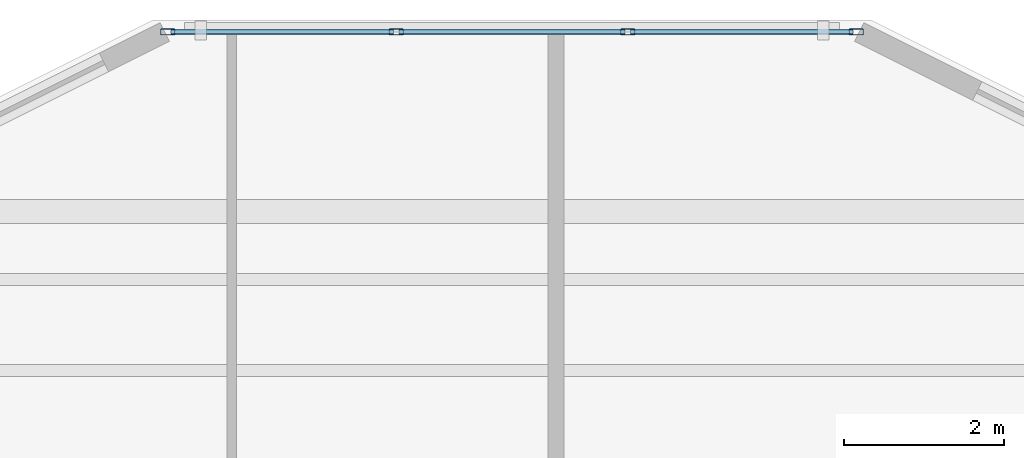
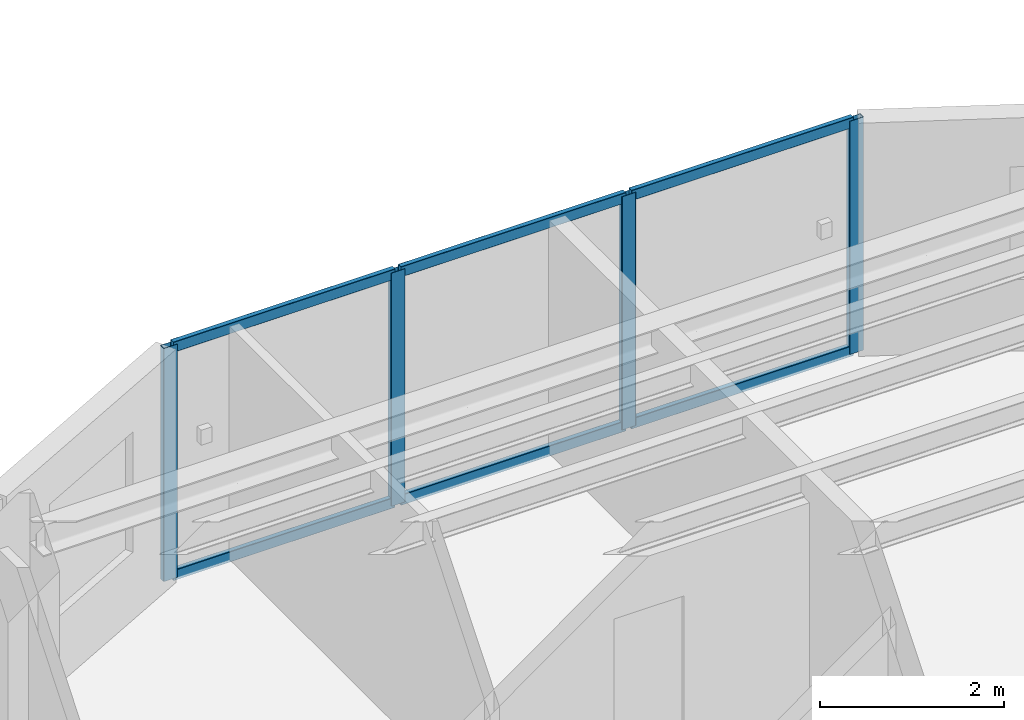
# One storey, part 4 of 13: 10 members, 1 element without a shape of its own.
"""IFC4 building model written with IfcOpenShell, lengths in metres."""

from ifc_helpers import new_model, si_unit, direction, frame, origin, origin_2d, place, context, subcontext, project, spatial, hollow_rectangle, extrude, material, layer, layer_set, material_profile, profile_set, type_object, element, aggregate, save


model = new_model("IFC4")

# Units and contexts
model_context = context("Model", 3, precision=1e-05, world=origin(), true_north=direction((0.0, 1.0)))
body_context = subcontext(model_context, "Body", "Model", "MODEL_VIEW")
ifc_project = project(units=[si_unit("LENGTHUNIT", "METRE"), si_unit("AREAUNIT", "SQUARE_METRE"), si_unit("VOLUMEUNIT", "CUBIC_METRE"), si_unit("PLANEANGLEUNIT", "RADIAN"), si_unit("MASSUNIT", "GRAM", prefix="KILO")], contexts=[model_context])

# Site, building, storey
site_placement = place(None, origin())
site = spatial("IfcSite", under=ifc_project, at=site_placement, CompositionType="ELEMENT")
building_placement = place(site_placement, origin())
building = spatial("IfcBuilding", under=site, at=building_placement, Name="Tarnavaz Court Tower", CompositionType="ELEMENT")
storey_placement = place(building_placement, frame((0.0, 0.0, 251.550048828125)))
storey = spatial("IfcBuildingStorey", under=building, at=storey_placement, Name="L68", CompositionType="ELEMENT", Elevation=251.550048828125)

# Curtain wall, members
ifc_material_1 = material(Name="Anodised Aluminium 6063-T6 and Solar Low-E Glazing", Category="aluminium")
ifc_layer = layer(ifc_material_1, 0.159912109375)
ifc_layer_set = layer_set([ifc_layer], Name="Anodised Aluminium 6063-T6 and Solar Low-E Glazing")
curtain_wall_type = type_object("IfcCurtainWallType", Name="CW-SYS-03", PredefinedType="NOTDEFINED", material=ifc_layer_set)
curtain_wall_placement = place(storey_placement, origin())
curtain_wall = element("IfcCurtainWall", 1, at=curtain_wall_placement, inside=storey, type_object=curtain_wall_type, Name="L68 Iwan Prow Curtain Wall 7", PredefinedType="NOTDEFINED")
ifc_material_2 = material(Name="Anodised Aluminium 6063-T6", Category="aluminium")
ifc_material_profile_1 = material_profile(ifc_material_2, hollow_rectangle(XDim=0.074951171875, YDim=0.179931640625, WallThickness=0.0048828125, InnerFilletRadius=0.0048828125, OuterFilletRadius=0.010009765625, at=origin_2d()), Name="ALU RHS 180X75X5")
ifc_profile_set_1 = profile_set([ifc_material_profile_1], Name="Anodised Aluminium 6063-T6")
member_type_1 = type_object("IfcMemberType", Name="CW-MUL-180", PredefinedType="MULLION", material=ifc_profile_set_1)
member_1_placement = place(storey_placement, frame((-4.3125, 22.35009765625, 0.0), z_axis=(0.0, 0.0, 1.0), x_axis=(0.0, 1.0, 0.0)))
member_1 = element("IfcMember", 2, at=member_1_placement, type_object=member_type_1, Name="CW mullion 1", PredefinedType="MULLION", context=body_context, shape_type="SweptSolid", body=[
    extrude(hollow_rectangle(XDim=0.074951171875, YDim=0.179931640625, WallThickness=0.0048828125, InnerFilletRadius=0.0048828125, OuterFilletRadius=0.010009765625, at=origin_2d()), origin(), (0.0, 0.0, 1.0), 3.099853515625),
])
member_2_placement = place(storey_placement, frame((-1.449951171875, 22.35009765625, 0.0), z_axis=(0.0, 0.0, 1.0), x_axis=(0.0, 1.0, 0.0)))
member_2 = element("IfcMember", 3, at=member_2_placement, type_object=member_type_1, Name="CW mullion 2", PredefinedType="MULLION", context=body_context, shape_type="SweptSolid", body=[
    extrude(hollow_rectangle(XDim=0.074951171875, YDim=0.179931640625, WallThickness=0.0048828125, InnerFilletRadius=0.0048828125, OuterFilletRadius=0.010009765625, at=origin_2d()), origin(), (0.0, 0.0, 1.0), 3.099853515625),
])
member_3_placement = place(storey_placement, frame((1.449951171875, 22.35009765625, 0.0), z_axis=(0.0, 0.0, 1.0), x_axis=(0.0, 1.0, 0.0)))
member_3 = element("IfcMember", 4, at=member_3_placement, type_object=member_type_1, Name="CW mullion 3", PredefinedType="MULLION", context=body_context, shape_type="SweptSolid", body=[
    extrude(hollow_rectangle(XDim=0.074951171875, YDim=0.179931640625, WallThickness=0.0048828125, InnerFilletRadius=0.0048828125, OuterFilletRadius=0.010009765625, at=origin_2d()), origin(), (0.0, 0.0, 1.0), 3.099853515625),
])
member_4_placement = place(storey_placement, frame((4.3125, 22.35009765625, 0.0), z_axis=(0.0, 0.0, 1.0), x_axis=(0.0, 1.0, 0.0)))
member_4 = element("IfcMember", 5, at=member_4_placement, type_object=member_type_1, Name="CW mullion 4", PredefinedType="MULLION", context=body_context, shape_type="SweptSolid", body=[
    extrude(hollow_rectangle(XDim=0.074951171875, YDim=0.179931640625, WallThickness=0.0048828125, InnerFilletRadius=0.0048828125, OuterFilletRadius=0.010009765625, at=origin_2d()), origin(), (0.0, 0.0, 1.0), 3.099853515625),
])
ifc_material_profile_2 = material_profile(ifc_material_2, hollow_rectangle(XDim=0.06494140625, YDim=0.139892578125, WallThickness=0.00390625, InnerFilletRadius=0.00390625, OuterFilletRadius=0.008056640625, at=origin_2d()), Name="ALU RHS 140X65X4")
ifc_profile_set_2 = profile_set([ifc_material_profile_2], Name="Anodised Aluminium 6063-T6")
member_type_2 = type_object("IfcMemberType", Name="CW-TRN-140", PredefinedType="USERDEFINED", material=ifc_profile_set_2)
member_5_placement = place(storey_placement, frame((-4.27490234375, 22.35009765625, 0.032470703125), z_axis=(1.0, 0.0, 0.0), x_axis=(0.0, 1.0, 0.0)))
member_5 = element("IfcMember", 6, at=member_5_placement, type_object=member_type_2, Name="CW transom 1.1", ObjectType="TRANSOM", PredefinedType="USERDEFINED", context=body_context, shape_type="SweptSolid", body=[
    extrude(hollow_rectangle(XDim=0.06494140625, YDim=0.139892578125, WallThickness=0.00390625, InnerFilletRadius=0.00390625, OuterFilletRadius=0.008056640625, at=origin_2d()), origin(), (0.0, 0.0, 1.0), 2.787353515625),
])
member_6_placement = place(storey_placement, frame((-4.27490234375, 22.35009765625, 3.0673828125), z_axis=(1.0, 0.0, 0.0), x_axis=(0.0, 1.0, 0.0)))
member_6 = element("IfcMember", 7, at=member_6_placement, type_object=member_type_2, Name="CW transom 1.2", ObjectType="TRANSOM", PredefinedType="USERDEFINED", context=body_context, shape_type="SweptSolid", body=[
    extrude(hollow_rectangle(XDim=0.06494140625, YDim=0.139892578125, WallThickness=0.00390625, InnerFilletRadius=0.00390625, OuterFilletRadius=0.008056640625, at=origin_2d()), origin(), (0.0, 0.0, 1.0), 2.787353515625),
])
member_7_placement = place(storey_placement, frame((-1.41259765625, 22.35009765625, 0.032470703125), z_axis=(1.0, 0.0, 0.0), x_axis=(0.0, 1.0, 0.0)))
member_7 = element("IfcMember", 8, at=member_7_placement, type_object=member_type_2, Name="CW transom 2.1", ObjectType="TRANSOM", PredefinedType="USERDEFINED", context=body_context, shape_type="SweptSolid", body=[
    extrude(hollow_rectangle(XDim=0.06494140625, YDim=0.139892578125, WallThickness=0.00390625, InnerFilletRadius=0.00390625, OuterFilletRadius=0.008056640625, at=origin_2d()), origin(), (0.0, 0.0, 1.0), 2.8251953125),
])
member_8_placement = place(storey_placement, frame((-1.41259765625, 22.35009765625, 3.0673828125), z_axis=(1.0, 0.0, 0.0), x_axis=(0.0, 1.0, 0.0)))
member_8 = element("IfcMember", 9, at=member_8_placement, type_object=member_type_2, Name="CW transom 2.2", ObjectType="TRANSOM", PredefinedType="USERDEFINED", context=body_context, shape_type="SweptSolid", body=[
    extrude(hollow_rectangle(XDim=0.06494140625, YDim=0.139892578125, WallThickness=0.00390625, InnerFilletRadius=0.00390625, OuterFilletRadius=0.008056640625, at=origin_2d()), origin(), (0.0, 0.0, 1.0), 2.8251953125),
])
member_9_placement = place(storey_placement, frame((1.487548828125, 22.35009765625, 0.032470703125), z_axis=(1.0, 0.0, 0.0), x_axis=(0.0, 1.0, 0.0)))
member_9 = element("IfcMember", 10, at=member_9_placement, type_object=member_type_2, Name="CW transom 3.1", ObjectType="TRANSOM", PredefinedType="USERDEFINED", context=body_context, shape_type="SweptSolid", body=[
    extrude(hollow_rectangle(XDim=0.06494140625, YDim=0.139892578125, WallThickness=0.00390625, InnerFilletRadius=0.00390625, OuterFilletRadius=0.008056640625, at=origin_2d()), origin(), (0.0, 0.0, 1.0), 2.787353515625),
])
member_10_placement = place(storey_placement, frame((1.487548828125, 22.35009765625, 3.0673828125), z_axis=(1.0, 0.0, 0.0), x_axis=(0.0, 1.0, 0.0)))
member_10 = element("IfcMember", 11, at=member_10_placement, type_object=member_type_2, Name="CW transom 3.2", ObjectType="TRANSOM", PredefinedType="USERDEFINED", context=body_context, shape_type="SweptSolid", body=[
    extrude(hollow_rectangle(XDim=0.06494140625, YDim=0.139892578125, WallThickness=0.00390625, InnerFilletRadius=0.00390625, OuterFilletRadius=0.008056640625, at=origin_2d()), origin(), (0.0, 0.0, 1.0), 2.787353515625),
])
aggregate(curtain_wall, [member_1, member_2, member_3, member_4, member_5, member_6, member_7, member_8, member_9, member_10])

save(model, "model.ifc")
